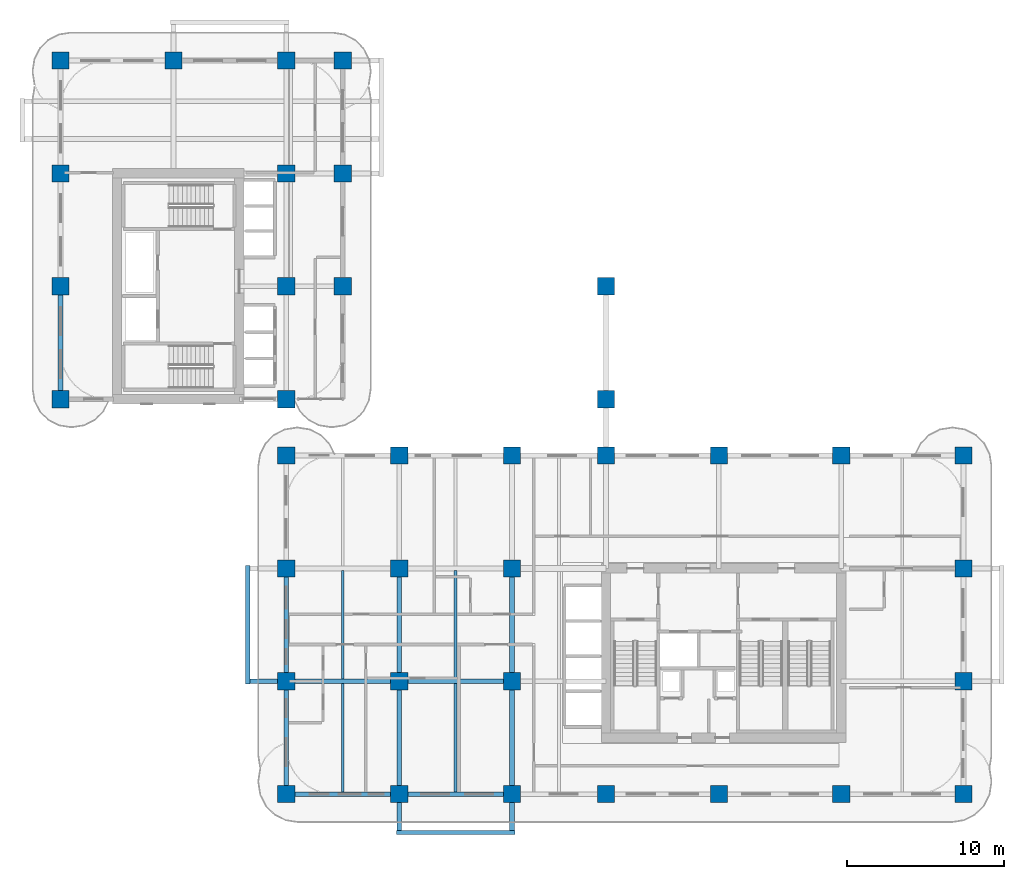
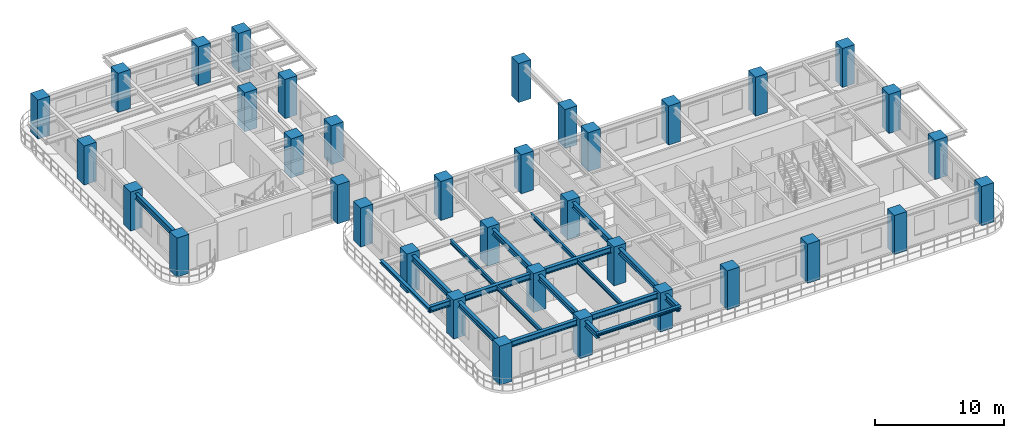
# One storey, part 1 of 18: 36 columns, 17 beams.
"""IFC4 building model written with IfcOpenShell, lengths in metres."""

from ifc_helpers import new_model, si_unit, derived_unit, direction, frame, origin, origin_2d, place, context, subcontext, project, spatial, rectangle, i_section, extrude, source, transform, mapped, material, material_profile, profile_set, type_object, type_shapes, element, save


model = new_model("IFC4")

# Units and contexts
model_context = context("Model", 3, precision=1e-05, world=origin(), true_north=direction((0.0, 1.0)))
body_context = subcontext(model_context, "Body", "Model", "MODEL_VIEW")
ifc_project = project(units=[si_unit("LENGTHUNIT", "METRE"), si_unit("AREAUNIT", "SQUARE_METRE"), si_unit("VOLUMEUNIT", "CUBIC_METRE"), si_unit("PLANEANGLEUNIT", "RADIAN"), si_unit("MASSUNIT", "GRAM", prefix="KILO"), si_unit("THERMODYNAMICTEMPERATUREUNIT", "KELVIN"), si_unit("POWERUNIT", "WATT"), derived_unit("THERMALTRANSMITTANCEUNIT", [(si_unit("POWERUNIT", "WATT"), 1), (si_unit("AREAUNIT", "SQUARE_METRE"), -1), (si_unit("THERMODYNAMICTEMPERATUREUNIT", "KELVIN"), -1)])], contexts=[model_context])

# Site, building, storey
site_placement = place(None, origin())
site = spatial("IfcSite", under=ifc_project, at=site_placement, CompositionType="ELEMENT")
building_placement = place(site_placement, origin())
building = spatial("IfcBuilding", under=site, at=building_placement, Name="Zahravan Archway Hotel and Residences", CompositionType="ELEMENT")
storey_placement = place(building_placement, frame((0.0, 0.0, 58.300048828125)))
storey = spatial("IfcBuildingStorey", under=building, at=storey_placement, Name="L13", CompositionType="ELEMENT", Elevation=58.300048828125)

# Columns
ifc_material_1 = material(Name="Concrete C70/85", Category="concrete")
ifc_material_profile_1 = material_profile(ifc_material_1, rectangle(XDim=1.10009765625, YDim=1.10009765625, at=origin_2d()), Name="RC 1100x1100", Category="concrete")
ifc_profile_set_1 = profile_set([ifc_material_profile_1], Name="Concrete C70/85")
column_type = type_object("IfcColumnType", Name="COL-RC-1100", PredefinedType="COLUMN", material=ifc_profile_set_1)
shared_shape_1 = source(origin(), body_context, "Body", "SweptSolid", [
    extrude(rectangle(XDim=1.10009765625, YDim=1.10009765625, at=origin_2d()), origin(), (0.0, 0.0, 1.0), 3.699951171875),
])
for number, where, z_axis, x_axis, name in (
    (1, (0.0, 25.199951171875, 0.0), (0.0, 0.0, 1.0), (1.0, 0.0, 0.0), "L13 Column 1-E"),
    (2, (0.0, 32.39990234375, 0.0), (0.0, 0.0, 1.0), (1.0, 0.0, 0.0), "L13 Column 1-F"),
    (3, (0.0, 39.60009765625, 0.0), (0.0, 0.0, 1.0), (1.0, 0.0, 0.0), "L13 Column 1-G"),
    (4, (0.0, 46.800048828125, 0.0), (0.0, 0.0, 1.0), (1.0, 0.0, 0.0), "L13 Column 1-H"),
    (5, (7.199951171875, 46.800048828125, 0.0), (0.0, 0.0, 1.0), (1.0, 0.0, 0.0), "L13 Column 2-H"),
    (6, (14.39990234375, 0.0, 0.0), (0.0, 0.0, 1.0), (1.0, 0.0, 0.0), "L13 Column 3-A"),
    (7, (14.39990234375, 7.199951171875, 0.0), (0.0, 0.0, 1.0), (1.0, 0.0, 0.0), "L13 Column 3-B"),
    (8, (14.39990234375, 14.39990234375, 0.0), (0.0, 0.0, 1.0), (1.0, 0.0, 0.0), "L13 Column 3-C"),
    (9, (14.39990234375, 21.60009765625, 0.0), (0.0, 0.0, 1.0), (1.0, 0.0, 0.0), "L13 Column 3-D"),
    (10, (14.39990234375, 25.199951171875, 0.0), (0.0, 0.0, 1.0), (1.0, 0.0, 0.0), "L13 Column 3-E"),
    (11, (14.39990234375, 32.39990234375, 0.0), (0.0, 0.0, 1.0), (1.0, 0.0, 0.0), "L13 Column 3-F"),
    (12, (14.39990234375, 39.60009765625, 0.0), (0.0, 0.0, 1.0), (1.0, 0.0, 0.0), "L13 Column 3-G"),
    (13, (14.39990234375, 46.800048828125, 0.0), (0.0, 0.0, 1.0), (1.0, 0.0, 0.0), "L13 Column 3-H"),
    (14, (21.60009765625, 0.0, 0.0), (0.0, 0.0, 1.0), (1.0, 0.0, 0.0), "L13 Column 4-A"),
    (15, (21.60009765625, 7.199951171875, 0.0), (0.0, 0.0, 1.0), (1.0, 0.0, 0.0), "L13 Column 4-B"),
    (16, (21.60009765625, 14.39990234375, 0.0), (0.0, 0.0, 1.0), (1.0, 0.0, 0.0), "L13 Column 4-C"),
    (17, (21.60009765625, 21.60009765625, 0.0), (0.0, 0.0, 1.0), (1.0, 0.0, 0.0), "L13 Column 4-D"),
    (18, (28.800048828125, 0.0, 0.0), (0.0, 0.0, 1.0), (1.0, 0.0, 0.0), "L13 Column 5-A"),
    (19, (28.800048828125, 7.199951171875, 0.0), (0.0, 0.0, 1.0), (1.0, 0.0, 0.0), "L13 Column 5-B"),
    (20, (28.800048828125, 14.39990234375, 0.0), (0.0, 0.0, 1.0), (1.0, 0.0, 0.0), "L13 Column 5-C"),
    (21, (28.800048828125, 21.60009765625, 0.0), (0.0, 0.0, 1.0), (1.0, 0.0, 0.0), "L13 Column 5-D"),
    (22, (34.800048828125, 0.0, 0.0), (0.0, 0.0, 1.0), (1.0, 0.0, 0.0), "L13 Column 6-A"),
    (23, (34.800048828125, 21.60009765625, 0.0), (0.0, 0.0, 1.0), (1.0, 0.0, 0.0), "L13 Column 6-D"),
    (24, (42.0, 0.0, 0.0), (0.0, 0.0, 1.0), (1.0, 0.0, 0.0), "L13 Column 7-A"),
    (25, (42.0, 21.60009765625, 0.0), (0.0, 0.0, 1.0), (1.0, 0.0, 0.0), "L13 Column 7-D"),
    (26, (49.800048828125, 0.0, 0.0), (0.0, 0.0, 1.0), (1.0, 0.0, 0.0), "L13 Column 8-A"),
    (27, (49.800048828125, 21.60009765625, 0.0), (0.0, 0.0, 1.0), (1.0, 0.0, 0.0), "L13 Column 8-D"),
    (28, (57.60009765625, 0.0, 0.0), (0.0, 0.0, 1.0), (1.0, 0.0, 0.0), "L13 Column 9-A"),
    (29, (57.60009765625, 7.199951171875, 0.0), (0.0, 0.0, 1.0), (1.0, 0.0, 0.0), "L13 Column 9-B"),
    (30, (57.60009765625, 14.39990234375, 0.0), (0.0, 0.0, 1.0), (1.0, 0.0, 0.0), "L13 Column 9-C"),
    (31, (57.60009765625, 21.60009765625, 0.0), (0.0, 0.0, 1.0), (1.0, 0.0, 0.0), "L13 Column 9-D"),
    (32, (18.0, 32.39990234375, 0.0), (0.0, 0.0, 1.0), (1.0, 0.0, 0.0), "L13 Column 3B-F"),
    (33, (18.0, 39.60009765625, 0.0), (0.0, 0.0, 1.0), (1.0, 0.0, 0.0), "L13 Column 3B-G"),
    (34, (18.0, 46.800048828125, 0.0), (0.0, 0.0, 1.0), (1.0, 0.0, 0.0), "L13 Column 3B-H"),
    (35, (34.800048828125, 25.199951171875, 0.0), (0.0, 0.0, 1.0), (1.0, 0.0, 0.0), "L13 Column 6-E"),
    (36, (34.800048828125, 32.39990234375, 0.0), (0.0, 0.0, 1.0), (1.0, 0.0, 0.0), "L13 Column 6-F"),
):
    element("IfcColumn", number, at=place(storey_placement, frame(where, z_axis=z_axis, x_axis=x_axis)), inside=storey, type_object=column_type, Name=name, PredefinedType="COLUMN", context=body_context, shape_type="MappedRepresentation", body=[
        mapped(shared_shape_1, transform((0.0, 0.0, 0.0), scale=1.0)),
    ])

# Beams
ifc_material_2 = material(Name="Structural Steel S355JR", Category="steel")
ifc_material_profile_2 = material_profile(ifc_material_2, i_section(OverallWidth=0.280029296875, OverallDepth=0.280029296875, WebThickness=0.010498046875, FlangeThickness=0.01806640625, FilletRadius=0.02392578125, at=origin_2d()), Name="HEB 280", Category="steel")
ifc_profile_set_2 = profile_set([ifc_material_profile_2], Name="Structural Steel S355JR")
beam_type_1 = type_object("IfcBeamType", Name="BM-SPN-HEB280", PredefinedType="SPANDREL", material=ifc_profile_set_2)
shared_shape_2 = source(origin(), body_context, "Body", "SweptSolid", [
    extrude(i_section(OverallWidth=0.280029296875, OverallDepth=0.280029296875, WebThickness=0.010498046875, FlangeThickness=0.01806640625, FilletRadius=0.02392578125, at=origin_2d()), origin(), (0.0, 0.0, 1.0), 7.56005859375),
])
type_shapes(beam_type_1, [shared_shape_2])
for number, where, z_axis, x_axis, name in (
    (37, (11.949951171875, 7.02001953125, 3.31005859375), (0.0, 1.0, 0.0), (-1.0, 0.0, 0.0), "L14 WA Balcony Edge Spandrel"),
    (38, (21.419921875, -2.449951171875, 3.31005859375), (1.0, 0.0, 0.0), (0.0, 1.0, 0.0), "L14 SA Balcony Edge Spandrel"),
):
    element("IfcBeam", number, at=place(storey_placement, frame(where, z_axis=z_axis, x_axis=x_axis)), inside=storey, type_object=beam_type_1, Name=name, PredefinedType="SPANDREL", context=body_context, shape_type="MappedRepresentation", body=[
        mapped(shared_shape_2, transform((0.0, 0.0, 0.0), scale=1.0)),
    ])
ifc_material_profile_3 = material_profile(ifc_material_2, i_section(OverallWidth=0.300048828125, OverallDepth=0.550048828125, WebThickness=0.014892578125, FlangeThickness=0.029052734375, FilletRadius=0.027099609375, at=origin_2d()), Name="HEB 550", Category="steel")
ifc_profile_set_3 = profile_set([ifc_material_profile_3], Name="Structural Steel S355JR")
beam_type_2 = type_object("IfcBeamType", Name="BM-PRI-HEB550", PredefinedType="BEAM", material=ifc_profile_set_3)
shared_shape_3 = source(origin(), body_context, "Body", "SweptSolid", [
    extrude(i_section(OverallWidth=0.300048828125, OverallDepth=0.550048828125, WebThickness=0.014892578125, FlangeThickness=0.029052734375, FilletRadius=0.027099609375, at=origin_2d()), origin(), (0.0, 0.0, 1.0), 7.2001953125),
])
type_shapes(beam_type_2, [shared_shape_3])
beam_1_placement = place(storey_placement, frame((14.39990234375, 0.0, 3.175048828125), z_axis=(1.0, 0.0, 0.0), x_axis=(0.0, 1.0, 0.0)))
element("IfcBeam", 39, at=beam_1_placement, inside=storey, type_object=beam_type_2, Name="L13 Primary Girder EW-01", PredefinedType="BEAM", context=body_context, shape_type="MappedRepresentation", body=[
    mapped(shared_shape_3, transform((0.0, 0.0, 0.0), scale=1.0)),
])
shared_shape_4 = source(origin(), body_context, "Body", "SweptSolid", [
    extrude(i_section(OverallWidth=0.300048828125, OverallDepth=0.550048828125, WebThickness=0.014892578125, FlangeThickness=0.029052734375, FilletRadius=0.027099609375, at=origin_2d()), origin(), (0.0, 0.0, 1.0), 7.199951171875),
])
for number, where, z_axis, x_axis, name in (
    (40, (21.60009765625, 0.0, 3.175048828125), (1.0, 0.0, 0.0), (0.0, 1.0, 0.0), "L13 Primary Girder EW-02"),
    (41, (21.60009765625, 7.199951171875, 3.175048828125), (1.0, 0.0, 0.0), (0.0, 1.0, 0.0), "L13 Primary Girder EW-08"),
    (42, (0.0, 25.199951171875, 3.175048828125), (0.0, 1.0, 0.0), (-1.0, 0.0, 0.0), "L13 Primary Girder NS-27"),
    (43, (14.39990234375, 0.0, 3.175048828125), (0.0, 1.0, 0.0), (-1.0, 0.0, 0.0), "L13 Primary Girder NS-31"),
    (44, (14.39990234375, 7.199951171875, 3.175048828125), (0.0, 1.0, 0.0), (-1.0, 0.0, 0.0), "L13 Primary Girder NS-32"),
    (45, (21.60009765625, 7.199951171875, 3.175048828125), (0.0, 1.0, 0.0), (-1.0, 0.0, 0.0), "L13 Primary Girder NS-38"),
    (46, (28.800048828125, 7.199951171875, 3.175048828125), (0.0, 1.0, 0.0), (-1.0, 0.0, 0.0), "L13 Primary Girder NS-41"),
):
    element("IfcBeam", number, at=place(storey_placement, frame(where, z_axis=z_axis, x_axis=x_axis)), inside=storey, type_object=beam_type_2, Name=name, PredefinedType="BEAM", context=body_context, shape_type="MappedRepresentation", body=[
        mapped(shared_shape_4, transform((0.0, 0.0, 0.0), scale=1.0)),
    ])
ifc_material_profile_4 = material_profile(ifc_material_2, i_section(OverallWidth=0.179931640625, OverallDepth=0.39990234375, WebThickness=0.008544921875, FlangeThickness=0.013427734375, FilletRadius=0.02099609375, at=origin_2d()), Name="IPE 400", Category="steel")
ifc_profile_set_4 = profile_set([ifc_material_profile_4], Name="Structural Steel S355JR")
beam_type_3 = type_object("IfcBeamType", Name="BM-JST-IPE400", PredefinedType="JOIST", material=ifc_profile_set_4)
shared_shape_5 = source(origin(), body_context, "Body", "SweptSolid", [
    extrude(i_section(OverallWidth=0.179931640625, OverallDepth=0.39990234375, WebThickness=0.008544921875, FlangeThickness=0.013427734375, FilletRadius=0.02099609375, at=origin_2d()), origin(), (0.0, 0.0, 1.0), 6.904052734375),
])
type_shapes(beam_type_3, [shared_shape_5])
for number, where, z_axis, x_axis, name in (
    (47, (18.0, 0.14794921875, 3.25), (0.0, 1.0, 0.0), (-1.0, 0.0, 0.0), "L13 Composite Floor Joist 01"),
    (48, (25.199951171875, 0.14794921875, 3.25), (0.0, 1.0, 0.0), (-1.0, 0.0, 0.0), "L13 Composite Floor Joist 02"),
    (49, (18.0, 7.347900390625, 3.25), (0.0, 1.0, 0.0), (-1.0, 0.0, 0.0), "L13 Composite Floor Joist 05"),
    (50, (25.199951171875, 7.347900390625, 3.25), (0.0, 1.0, 0.0), (-1.0, 0.0, 0.0), "L13 Composite Floor Joist 06"),
):
    element("IfcBeam", number, at=place(storey_placement, frame(where, z_axis=z_axis, x_axis=x_axis)), inside=storey, type_object=beam_type_3, Name=name, PredefinedType="JOIST", context=body_context, shape_type="MappedRepresentation", body=[
        mapped(shared_shape_5, transform((0.0, 0.0, 0.0), scale=1.0)),
    ])
shared_shape_6 = source(origin(), body_context, "Body", "SweptSolid", [
    extrude(i_section(OverallWidth=0.300048828125, OverallDepth=0.550048828125, WebThickness=0.014892578125, FlangeThickness=0.029052734375, FilletRadius=0.027099609375, at=origin_2d()), origin(), (0.0, 0.0, 1.0), 9.650146484375),
])
beam_2_placement = place(storey_placement, frame((11.949951171875, 7.199951171875, 3.175048828125), z_axis=(1.0, 0.0, 0.0), x_axis=(0.0, 1.0, 0.0)))
element("IfcBeam", 51, at=beam_2_placement, inside=storey, type_object=beam_type_2, Name="L13 Primary Girder EW-07", PredefinedType="BEAM", context=body_context, shape_type="MappedRepresentation", body=[
    mapped(shared_shape_6, transform((0.0, 0.0, 0.0), scale=1.0)),
])
shared_shape_7 = source(origin(), body_context, "Body", "SweptSolid", [
    extrude(i_section(OverallWidth=0.300048828125, OverallDepth=0.550048828125, WebThickness=0.014892578125, FlangeThickness=0.029052734375, FilletRadius=0.027099609375, at=origin_2d()), origin(), (0.0, 0.0, 1.0), 9.64990234375),
])
for number, where, z_axis, x_axis, name in (
    (52, (21.60009765625, -2.449951171875, 3.175048828125), (0.0, 1.0, 0.0), (-1.0, 0.0, 0.0), "L13 Primary Girder NS-37"),
    (53, (28.800048828125, -2.449951171875, 3.175048828125), (0.0, 1.0, 0.0), (-1.0, 0.0, 0.0), "L13 Primary Girder NS-40"),
):
    element("IfcBeam", number, at=place(storey_placement, frame(where, z_axis=z_axis, x_axis=x_axis)), inside=storey, type_object=beam_type_2, Name=name, PredefinedType="BEAM", context=body_context, shape_type="MappedRepresentation", body=[
        mapped(shared_shape_7, transform((0.0, 0.0, 0.0), scale=1.0)),
    ])

save(model, "model.ifc")
